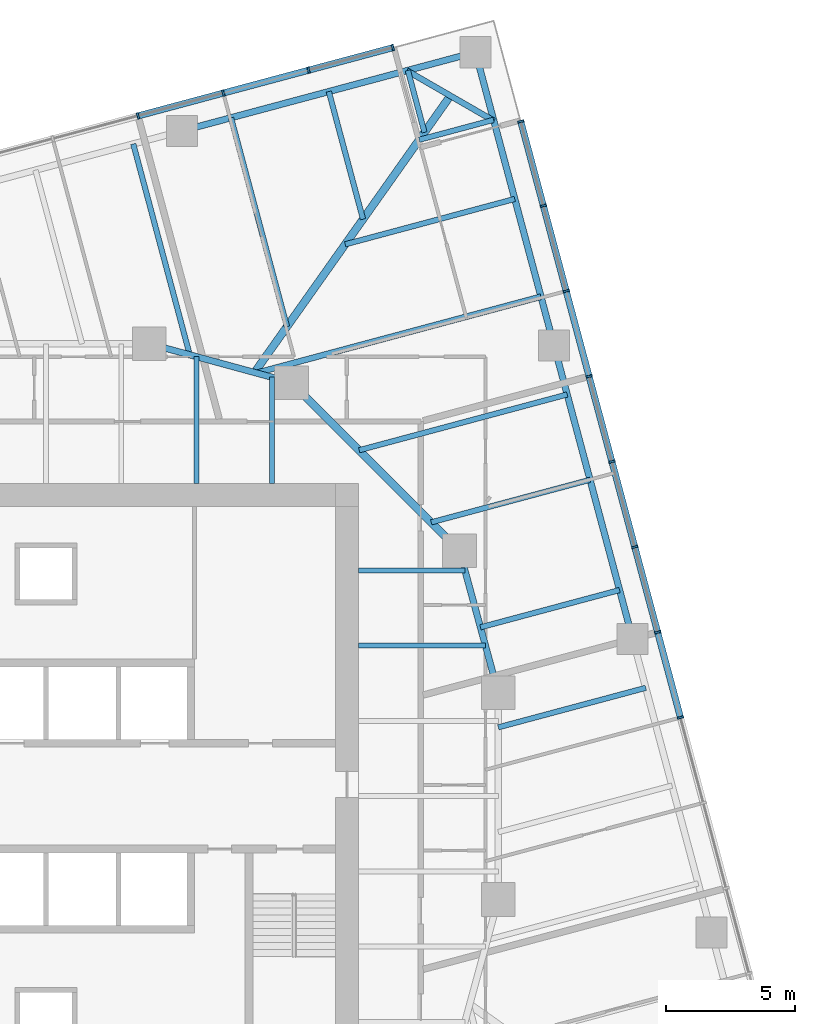
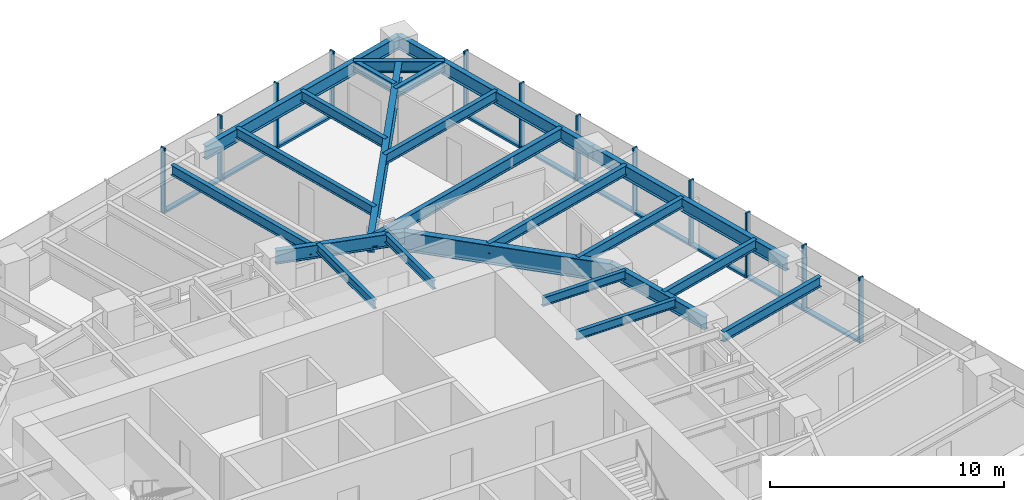
# One storey, part 6 of 13: 23 beams, 22 members, 2 elements without a shape of their own.
"""IFC4 building model written with IfcOpenShell, lengths in metres."""

from ifc_helpers import new_model, si_unit, direction, frame, origin, origin_2d, place, context, subcontext, project, spatial, rectangle, i_section, extrude, material, material_profile, profile_set, type_object, element, aggregate, save


model = new_model("IFC4")

# Units and contexts
model_context = context("Model", 3, precision=1e-05, world=origin(), true_north=direction((0.0, 1.0)))
body_context = subcontext(model_context, "Body", "Model", "MODEL_VIEW")
ifc_project = project(units=[si_unit("LENGTHUNIT", "METRE"), si_unit("AREAUNIT", "SQUARE_METRE"), si_unit("VOLUMEUNIT", "CUBIC_METRE"), si_unit("PLANEANGLEUNIT", "RADIAN"), si_unit("MASSUNIT", "GRAM", prefix="KILO")], contexts=[model_context])

# Site, building, storey
site_placement = place(None, origin())
site = spatial("IfcSite", under=ifc_project, at=site_placement, CompositionType="ELEMENT")
building_placement = place(site_placement, origin())
building = spatial("IfcBuilding", under=site, at=building_placement, Name="Torsade Residences", CompositionType="ELEMENT")
storey_placement = place(building_placement, frame((0.0, 0.0, 118.39990234375)))
storey = spatial("IfcBuildingStorey", under=building, at=storey_placement, Name="L32", CompositionType="ELEMENT", Elevation=118.39990234375)

# Beams
ifc_material_1 = material(Name="Steel grade 300", Category="steel")
ifc_material_profile_1 = material_profile(ifc_material_1, i_section(OverallWidth=0.300048828125, OverallDepth=0.89990234375, WebThickness=0.011962890625, FlangeThickness=0.02490234375, at=origin_2d()), Name="900WB175")
ifc_profile_set_1 = profile_set([ifc_material_profile_1], Name="Steel grade 300")
beam_type_1 = type_object("IfcBeamType", Name="CORNER GIRDER 900WB175", PredefinedType="BEAM", material=ifc_profile_set_1)
beam_1_placement = place(storey_placement, frame((55.644775390625, 57.097412109375, 2.800048828125), z_axis=(-0.577683167004, -0.816261084801, 0.0), x_axis=(0.816261084801, -0.577683167004, 0.0)))
element("IfcBeam", 1, at=beam_1_placement, inside=storey, type_object=beam_type_1, Name="Corner girder 09 L33", PredefinedType="BEAM", context=body_context, shape_type="SweptSolid", body=[
    extrude(i_section(OverallWidth=0.300048828125, OverallDepth=0.89990234375, WebThickness=0.011962890625, FlangeThickness=0.02490234375, at=origin_2d()), origin(), (0.0, 0.0, 1.0), 13.116943359375),
])
ifc_material_2 = material(Name="Steel grade 300", Category="steel")
ifc_material_profile_2 = material_profile(ifc_material_2, i_section(OverallWidth=0.22802734375, OverallDepth=0.60205078125, WebThickness=0.010498046875, FlangeThickness=0.014892578125, FilletRadius=0.013916015625, at=origin_2d()), Name="610UB101")
ifc_profile_set_2 = profile_set([ifc_material_profile_2], Name="Steel grade 300")
beam_type_2 = type_object("IfcBeamType", Name="CORNER TRIMMER 610UB101", PredefinedType="BEAM", material=ifc_profile_set_2)
beam_2_placement = place(storey_placement, frame((53.960693359375, 58.06982421875, 2.94921875), z_axis=(0.866028782848, -0.499994147244, 0.0), x_axis=(0.499994147244, 0.866028782848, 0.0)))
element("IfcBeam", 2, at=beam_2_placement, inside=storey, type_object=beam_type_2, Name="Corner trimmer 09 L33", PredefinedType="BEAM", context=body_context, shape_type="SweptSolid", body=[
    extrude(i_section(OverallWidth=0.22802734375, OverallDepth=0.60205078125, WebThickness=0.010498046875, FlangeThickness=0.014892578125, FilletRadius=0.013916015625, at=origin_2d()), origin(), (0.0, 0.0, 1.0), 3.88916015625),
])
ifc_material_3 = material(Name="Steel grade 300", Category="steel")
ifc_material_profile_3 = material_profile(ifc_material_3, i_section(OverallWidth=0.25, OverallDepth=0.699951171875, WebThickness=0.010009765625, FlangeThickness=0.02001953125, at=origin_2d()), Name="700WB130")
ifc_profile_set_3 = profile_set([ifc_material_profile_3], Name="Steel grade 300")
beam_type_3 = type_object("IfcBeamType", Name="EDGE BEAM 700WB130", PredefinedType="SPANDREL", material=ifc_profile_set_3)
for number, where, z_axis, x_axis, name in (
    (3, (62.69921875, 36.082275390625, 2.900146484375), (-0.258810863021, 0.965928018634, 0.0), (-0.965928018634, -0.258810863021, 0.0), "Edge beam 07 L33"),
    (4, (59.658203125, 47.431884765625, 2.900146484375), (-0.258830249097, 0.965922824118, 0.0), (-0.965922824118, -0.258830249097, 0.0), "Edge beam 08 L33"),
    (5, (56.616943359375, 58.781494140625, 2.900146484375), (-0.965928018634, -0.258810863021, 0.0), (0.258810863021, -0.965928018634, 0.0), "Edge beam 09 L33"),
):
    element("IfcBeam", number, at=place(storey_placement, frame(where, z_axis=z_axis, x_axis=x_axis)), inside=storey, type_object=beam_type_3, Name=name, PredefinedType="SPANDREL", context=body_context, shape_type="SweptSolid", body=[
        extrude(i_section(OverallWidth=0.25, OverallDepth=0.699951171875, WebThickness=0.010009765625, FlangeThickness=0.02001953125, at=origin_2d()), origin(), (0.0, 0.0, 1.0), 11.75),
    ])
ifc_material_4 = material(Name="Steel grade 300", Category="steel")
ifc_material_profile_4 = material_profile(ifc_material_4, i_section(OverallWidth=0.18994140625, OverallDepth=0.4541015625, WebThickness=0.008544921875, FlangeThickness=0.0126953125, FilletRadius=0.011474609375, at=origin_2d()), Name="460UB67.1")
ifc_profile_set_4 = profile_set([ifc_material_profile_4], Name="Steel grade 300")
beam_type_4 = type_object("IfcBeamType", Name="INNER FLOOR BEAM 460UB67.1", PredefinedType="JOIST", material=ifc_profile_set_4)
beam_3_placement = place(storey_placement, frame((45.824951171875, 42.10009765625, 3.023193359375), z_axis=(0.0, 1.0, 0.0), x_axis=(-1.0, 0.0, 0.0)))
element("IfcBeam", 6, at=beam_3_placement, inside=storey, type_object=beam_type_4, Name="Inner floor beam IN06 L33", PredefinedType="JOIST", context=body_context, shape_type="SweptSolid", body=[
    extrude(i_section(OverallWidth=0.18994140625, OverallDepth=0.4541015625, WebThickness=0.008544921875, FlangeThickness=0.0126953125, FilletRadius=0.011474609375, at=origin_2d()), origin(), (0.0, 0.0, 1.0), 4.902099609375),
])
beam_4_placement = place(storey_placement, frame((48.737548828125, 42.10009765625, 3.023193359375), z_axis=(0.0, 1.0, 0.0), x_axis=(-1.0, 0.0, 0.0)))
element("IfcBeam", 7, at=beam_4_placement, inside=storey, type_object=beam_type_4, Name="Inner floor beam IN07 L33", PredefinedType="JOIST", context=body_context, shape_type="SweptSolid", body=[
    extrude(i_section(OverallWidth=0.18994140625, OverallDepth=0.4541015625, WebThickness=0.008544921875, FlangeThickness=0.0126953125, FilletRadius=0.011474609375, at=origin_2d()), origin(), (0.0, 0.0, 1.0), 4.10791015625),
])
beam_5_placement = place(storey_placement, frame((52.10009765625, 35.824951171875, 3.023193359375), z_axis=(1.0, 0.0, 0.0), x_axis=(0.0, 1.0, 0.0)))
element("IfcBeam", 8, at=beam_5_placement, inside=storey, type_object=beam_type_4, Name="Inner floor beam IE06 L33", PredefinedType="JOIST", context=body_context, shape_type="SweptSolid", body=[
    extrude(i_section(OverallWidth=0.18994140625, OverallDepth=0.4541015625, WebThickness=0.008544921875, FlangeThickness=0.0126953125, FilletRadius=0.011474609375, at=origin_2d()), origin(), (0.0, 0.0, 1.0), 4.902099609375),
])
beam_6_placement = place(storey_placement, frame((52.10009765625, 38.737548828125, 3.023193359375), z_axis=(1.0, 0.0, 0.0), x_axis=(0.0, 1.0, 0.0)))
element("IfcBeam", 9, at=beam_6_placement, inside=storey, type_object=beam_type_4, Name="Inner floor beam IE07 L33", PredefinedType="JOIST", context=body_context, shape_type="SweptSolid", body=[
    extrude(i_section(OverallWidth=0.18994140625, OverallDepth=0.4541015625, WebThickness=0.008544921875, FlangeThickness=0.0126953125, FilletRadius=0.011474609375, at=origin_2d()), origin(), (0.0, 0.0, 1.0), 4.10791015625),
])

# Curtain wall, members
ifc_material_5 = material(Name="Aluminium and glass", Category="aluminium")
curtain_wall_type = type_object("IfcCurtainWallType", Name="FRITTED GLASS CURTAIN WALL MID ZONE", PredefinedType="NOTDEFINED", material=ifc_material_5)
curtain_wall_1_placement = place(storey_placement, origin())
curtain_wall_1 = element("IfcCurtainWall", 10, at=curtain_wall_1_placement, inside=storey, type_object=curtain_wall_type, Name="Curtain wall L32 face 4", PredefinedType="NOTDEFINED")
ifc_material_6 = material(Name="Aluminium mullion", Category="aluminium")
ifc_material_profile_5 = material_profile(ifc_material_6, rectangle(XDim=0.25, YDim=0.080078125, at=origin_2d()), Name="MID ZONE CURTAIN WALL MULLION 250x80")
ifc_profile_set_5 = profile_set([ifc_material_profile_5], Name="Aluminium mullion")
member_type_1 = type_object("IfcMemberType", Name="MID ZONE CURTAIN WALL MULLION 250x80", PredefinedType="MULLION", material=ifc_profile_set_5)
member_1_placement = place(storey_placement, frame((64.549560546875, 33.040771484375, 0.0), z_axis=(0.0, 0.0, 1.0), x_axis=(-0.965925825571, -0.258819047783, 0.0)))
member_1 = element("IfcMember", 11, at=member_1_placement, type_object=member_type_1, Name="Mullion 6", PredefinedType="MULLION", context=body_context, shape_type="SweptSolid", body=[
    extrude(rectangle(XDim=0.25, YDim=0.080078125, at=origin_2d()), origin(), (0.0, 0.0, 1.0), 3.400146484375),
])
member_2_placement = place(storey_placement, frame((63.665283203125, 36.341064453125, 0.0), z_axis=(0.0, 0.0, 1.0), x_axis=(-0.965925825571, -0.258819047783, 0.0)))
member_2 = element("IfcMember", 12, at=member_2_placement, type_object=member_type_1, Name="Mullion 7", PredefinedType="MULLION", context=body_context, shape_type="SweptSolid", body=[
    extrude(rectangle(XDim=0.25, YDim=0.080078125, at=origin_2d()), origin(), (0.0, 0.0, 1.0), 3.400146484375),
])
member_3_placement = place(storey_placement, frame((62.781005859375, 39.641357421875, 0.0), z_axis=(0.0, 0.0, 1.0), x_axis=(-0.965925825571, -0.258819047783, 0.0)))
member_3 = element("IfcMember", 13, at=member_3_placement, type_object=member_type_1, Name="Mullion 8", PredefinedType="MULLION", context=body_context, shape_type="SweptSolid", body=[
    extrude(rectangle(XDim=0.25, YDim=0.080078125, at=origin_2d()), origin(), (0.0, 0.0, 1.0), 3.400146484375),
])
member_4_placement = place(storey_placement, frame((61.896484375, 42.941650390625, 0.0), z_axis=(0.0, 0.0, 1.0), x_axis=(-0.965925825571, -0.258819047783, 0.0)))
member_4 = element("IfcMember", 14, at=member_4_placement, type_object=member_type_1, Name="Mullion 9", PredefinedType="MULLION", context=body_context, shape_type="SweptSolid", body=[
    extrude(rectangle(XDim=0.25, YDim=0.080078125, at=origin_2d()), origin(), (0.0, 0.0, 1.0), 3.400146484375),
])
member_5_placement = place(storey_placement, frame((61.01220703125, 46.24169921875, 0.0), z_axis=(0.0, 0.0, 1.0), x_axis=(-0.965925825571, -0.258819047783, 0.0)))
member_5 = element("IfcMember", 15, at=member_5_placement, type_object=member_type_1, Name="Mullion 10", PredefinedType="MULLION", context=body_context, shape_type="SweptSolid", body=[
    extrude(rectangle(XDim=0.25, YDim=0.080078125, at=origin_2d()), origin(), (0.0, 0.0, 1.0), 3.400146484375),
])
member_6_placement = place(storey_placement, frame((60.1279296875, 49.5419921875, 0.0), z_axis=(0.0, 0.0, 1.0), x_axis=(-0.965925825571, -0.258819047783, 0.0)))
member_6 = element("IfcMember", 16, at=member_6_placement, type_object=member_type_1, Name="Mullion 11", PredefinedType="MULLION", context=body_context, shape_type="SweptSolid", body=[
    extrude(rectangle(XDim=0.25, YDim=0.080078125, at=origin_2d()), origin(), (0.0, 0.0, 1.0), 3.400146484375),
])
member_7_placement = place(storey_placement, frame((59.24365234375, 52.84228515625, 0.0), z_axis=(0.0, 0.0, 1.0), x_axis=(-0.965925825571, -0.258819047783, 0.0)))
member_7 = element("IfcMember", 17, at=member_7_placement, type_object=member_type_1, Name="Mullion 12", PredefinedType="MULLION", context=body_context, shape_type="SweptSolid", body=[
    extrude(rectangle(XDim=0.25, YDim=0.080078125, at=origin_2d()), origin(), (0.0, 0.0, 1.0), 3.400146484375),
])
member_8_placement = place(storey_placement, frame((58.36962890625, 56.10400390625, 0.0), z_axis=(0.0, 0.0, 1.0), x_axis=(-0.965925825571, -0.258819047783, 0.0)))
member_8 = element("IfcMember", 18, at=member_8_placement, type_object=member_type_1, Name="Mullion 13", PredefinedType="MULLION", context=body_context, shape_type="SweptSolid", body=[
    extrude(rectangle(XDim=0.25, YDim=0.080078125, at=origin_2d()), origin(), (0.0, 0.0, 1.0), 3.400146484375),
])

curtain_wall_2_placement = place(storey_placement, origin())
curtain_wall_2 = element("IfcCurtainWall", 19, at=curtain_wall_2_placement, inside=storey, type_object=curtain_wall_type, Name="Curtain wall L32 face 7", PredefinedType="NOTDEFINED")
member_9_placement = place(storey_placement, frame((53.421875, 58.960693359375, 0.0), z_axis=(0.0, 0.0, 1.0), x_axis=(0.258819047783, -0.965925825571, 0.0)))
member_9 = element("IfcMember", 20, at=member_9_placement, type_object=member_type_1, Name="Mullion 1", PredefinedType="MULLION", context=body_context, shape_type="SweptSolid", body=[
    extrude(rectangle(XDim=0.25, YDim=0.080078125, at=origin_2d()), origin(), (0.0, 0.0, 1.0), 3.400146484375),
])
member_10_placement = place(storey_placement, frame((50.16015625, 58.086669921875, 0.0), z_axis=(0.0, 0.0, 1.0), x_axis=(0.258819047783, -0.965925825571, 0.0)))
member_10 = element("IfcMember", 21, at=member_10_placement, type_object=member_type_1, Name="Mullion 2", PredefinedType="MULLION", context=body_context, shape_type="SweptSolid", body=[
    extrude(rectangle(XDim=0.25, YDim=0.080078125, at=origin_2d()), origin(), (0.0, 0.0, 1.0), 3.400146484375),
])
member_11_placement = place(storey_placement, frame((46.85986328125, 57.202392578125, 0.0), z_axis=(0.0, 0.0, 1.0), x_axis=(0.258819047783, -0.965925825571, 0.0)))
member_11 = element("IfcMember", 22, at=member_11_placement, type_object=member_type_1, Name="Mullion 3", PredefinedType="MULLION", context=body_context, shape_type="SweptSolid", body=[
    extrude(rectangle(XDim=0.25, YDim=0.080078125, at=origin_2d()), origin(), (0.0, 0.0, 1.0), 3.400146484375),
])
member_12_placement = place(storey_placement, frame((43.5595703125, 56.318115234375, 0.0), z_axis=(0.0, 0.0, 1.0), x_axis=(0.258819047783, -0.965925825571, 0.0)))
member_12 = element("IfcMember", 23, at=member_12_placement, type_object=member_type_1, Name="Mullion 4", PredefinedType="MULLION", context=body_context, shape_type="SweptSolid", body=[
    extrude(rectangle(XDim=0.25, YDim=0.080078125, at=origin_2d()), origin(), (0.0, 0.0, 1.0), 3.400146484375),
])

# Member
ifc_material_7 = material(Name="Aluminium transom", Category="aluminium")
ifc_material_profile_6 = material_profile(ifc_material_7, rectangle(XDim=0.25, YDim=0.110107421875, at=origin_2d()), Name="MID ZONE CURTAIN WALL TRANSOM 250x110")
ifc_profile_set_6 = profile_set([ifc_material_profile_6], Name="Aluminium transom")
member_type_2 = type_object("IfcMemberType", Name="MID ZONE CURTAIN WALL TRANSOM 250x110", PredefinedType="USERDEFINED", material=ifc_profile_set_6)
member_13_placement = place(storey_placement, frame((64.5390625, 33.079345703125, 0.05517578125), z_axis=(-0.258787285653, 0.965934335648, 0.0), x_axis=(-0.965934335648, -0.258787285653, 0.0)))
member_13 = element("IfcMember", 24, at=member_13_placement, type_object=member_type_2, Name="Transom 6.1", ObjectType="TRANSOM", PredefinedType="USERDEFINED", context=body_context, shape_type="SweptSolid", body=[
    extrude(rectangle(XDim=0.25, YDim=0.110107421875, at=origin_2d()), origin(), (0.0, 0.0, 1.0), 3.3369140625),
])

member_14_placement = place(storey_placement, frame((63.65478515625, 36.379638671875, 0.05517578125), z_axis=(-0.258787285653, 0.965934335648, 0.0), x_axis=(-0.965934335648, -0.258787285653, 0.0)))
member_14 = element("IfcMember", 25, at=member_14_placement, type_object=member_type_2, Name="Transom 7.1", ObjectType="TRANSOM", PredefinedType="USERDEFINED", context=body_context, shape_type="SweptSolid", body=[
    extrude(rectangle(XDim=0.25, YDim=0.110107421875, at=origin_2d()), origin(), (0.0, 0.0, 1.0), 3.3369140625),
])

member_15_placement = place(storey_placement, frame((62.7705078125, 39.679931640625, 0.05517578125), z_axis=(-0.258805576255, 0.965929435155, 0.0), x_axis=(-0.965929435155, -0.258805576255, 0.0)))
member_15 = element("IfcMember", 26, at=member_15_placement, type_object=member_type_2, Name="Transom 8.1", ObjectType="TRANSOM", PredefinedType="USERDEFINED", context=body_context, shape_type="SweptSolid", body=[
    extrude(rectangle(XDim=0.25, YDim=0.110107421875, at=origin_2d()), origin(), (0.0, 0.0, 1.0), 3.336669921875),
])

member_16_placement = place(storey_placement, frame((61.88623046875, 42.980224609375, 0.05517578125), z_axis=(-0.258805576255, 0.965929435155, 0.0), x_axis=(-0.965929435155, -0.258805576255, 0.0)))
member_16 = element("IfcMember", 27, at=member_16_placement, type_object=member_type_2, Name="Transom 9.1", ObjectType="TRANSOM", PredefinedType="USERDEFINED", context=body_context, shape_type="SweptSolid", body=[
    extrude(rectangle(XDim=0.25, YDim=0.110107421875, at=origin_2d()), origin(), (0.0, 0.0, 1.0), 3.336669921875),
])

member_17_placement = place(storey_placement, frame((61.001953125, 46.280517578125, 0.05517578125), z_axis=(-0.258805576255, 0.965929435155, 0.0), x_axis=(-0.965929435155, -0.258805576255, 0.0)))
member_17 = element("IfcMember", 28, at=member_17_placement, type_object=member_type_2, Name="Transom 10.1", ObjectType="TRANSOM", PredefinedType="USERDEFINED", context=body_context, shape_type="SweptSolid", body=[
    extrude(rectangle(XDim=0.25, YDim=0.110107421875, at=origin_2d()), origin(), (0.0, 0.0, 1.0), 3.336669921875),
])

member_18_placement = place(storey_placement, frame((60.11767578125, 49.580810546875, 0.05517578125), z_axis=(-0.258805576255, 0.965929435155, 0.0), x_axis=(-0.965929435155, -0.258805576255, 0.0)))
member_18 = element("IfcMember", 29, at=member_18_placement, type_object=member_type_2, Name="Transom 11.1", ObjectType="TRANSOM", PredefinedType="USERDEFINED", context=body_context, shape_type="SweptSolid", body=[
    extrude(rectangle(XDim=0.25, YDim=0.110107421875, at=origin_2d()), origin(), (0.0, 0.0, 1.0), 3.336669921875),
])

member_19_placement = place(storey_placement, frame((59.2333984375, 52.880859375, 0.05517578125), z_axis=(-0.258828627534, 0.965923258633, 0.0), x_axis=(-0.965923258633, -0.258828627534, 0.0)))
member_19 = element("IfcMember", 30, at=member_19_placement, type_object=member_type_2, Name="Transom 12.1", ObjectType="TRANSOM", PredefinedType="USERDEFINED", context=body_context, shape_type="SweptSolid", body=[
    extrude(rectangle(XDim=0.25, YDim=0.110107421875, at=origin_2d()), origin(), (0.0, 0.0, 1.0), 3.296630859375),
])

aggregate(curtain_wall_1, [member_1, member_2, member_3, member_4, member_5, member_6, member_7, member_8, member_13, member_14, member_15, member_16, member_17, member_18, member_19])

member_20_placement = place(storey_placement, frame((53.383056640625, 58.9501953125, 0.05517578125), z_axis=(-0.965923258633, -0.258828627534, 0.0), x_axis=(0.258828627534, -0.965923258633, 0.0)))
member_20 = element("IfcMember", 31, at=member_20_placement, type_object=member_type_2, Name="Transom 1.1", ObjectType="TRANSOM", PredefinedType="USERDEFINED", context=body_context, shape_type="SweptSolid", body=[
    extrude(rectangle(XDim=0.25, YDim=0.110107421875, at=origin_2d()), origin(), (0.0, 0.0, 1.0), 3.296630859375),
])

member_21_placement = place(storey_placement, frame((50.12158203125, 58.076416015625, 0.05517578125), z_axis=(-0.965916044226, -0.258855549498, 0.0), x_axis=(0.258855549498, -0.965916044226, 0.0)))
member_21 = element("IfcMember", 32, at=member_21_placement, type_object=member_type_2, Name="Transom 2.1", ObjectType="TRANSOM", PredefinedType="USERDEFINED", context=body_context, shape_type="SweptSolid", body=[
    extrude(rectangle(XDim=0.25, YDim=0.110107421875, at=origin_2d()), origin(), (0.0, 0.0, 1.0), 3.3369140625),
])

member_22_placement = place(storey_placement, frame((46.8212890625, 57.192138671875, 0.05517578125), z_axis=(-0.96591114124, -0.258873844232, 0.0), x_axis=(0.258873844232, -0.96591114124, 0.0)))
member_22 = element("IfcMember", 33, at=member_22_placement, type_object=member_type_2, Name="Transom 3.1", ObjectType="TRANSOM", PredefinedType="USERDEFINED", context=body_context, shape_type="SweptSolid", body=[
    extrude(rectangle(XDim=0.25, YDim=0.110107421875, at=origin_2d()), origin(), (0.0, 0.0, 1.0), 3.336669921875),
])

aggregate(curtain_wall_2, [member_9, member_10, member_11, member_12, member_20, member_21, member_22])

# Beams
ifc_material_8 = material(Name="Steel grade 300", Category="steel")
ifc_material_profile_7 = material_profile(ifc_material_8, i_section(OverallWidth=0.300048828125, OverallDepth=1.0, WebThickness=0.01611328125, FlangeThickness=0.028076171875, at=origin_2d()), Name="1000WB215")
ifc_profile_set_7 = profile_set([ifc_material_profile_7], Name="Steel grade 300")
beam_type_5 = type_object("IfcBeamType", Name="RING CORNER GIRDER 1000WB215", PredefinedType="BEAM", material=ifc_profile_set_7)
beam_7_placement = place(storey_placement, frame((56.0, 39.5, 2.75), z_axis=(-0.707106781187, 0.707106781187, 0.0), x_axis=(-0.707106781187, -0.707106781187, 0.0)))
element("IfcBeam", 34, at=beam_7_placement, inside=storey, type_object=beam_type_5, Name="Ring girder IR03 L33", PredefinedType="BEAM", context=body_context, shape_type="SweptSolid", body=[
    extrude(i_section(OverallWidth=0.300048828125, OverallDepth=1.0, WebThickness=0.01611328125, FlangeThickness=0.028076171875, at=origin_2d()), origin(), (0.0, 0.0, 1.0), 9.1923828125),
])
ifc_material_9 = material(Name="Steel grade 300", Category="steel")
ifc_material_profile_8 = material_profile(ifc_material_9, i_section(OverallWidth=0.25, OverallDepth=0.699951171875, WebThickness=0.010009765625, FlangeThickness=0.02001953125, at=origin_2d()), Name="700WB130")
ifc_profile_set_8 = profile_set([ifc_material_profile_8], Name="Steel grade 300")
beam_type_6 = type_object("IfcBeamType", Name="RING GIRDER 700WB130", PredefinedType="BEAM", material=ifc_profile_set_8)
for number, where, z_axis, x_axis, name in (
    (35, (57.5, 34.0, 2.900146484375), (-0.263117405792, 0.964763821238, 0.0), (-0.964763821238, -0.263117405792, 0.0), "Ring girder IR02 L33"),
    (36, (49.5, 46.0, 2.900146484375), (-0.964763821238, 0.263117405792, 0.0), (-0.263117405792, -0.964763821238, 0.0), "Ring girder IR04 L33"),
):
    element("IfcBeam", number, at=place(storey_placement, frame(where, z_axis=z_axis, x_axis=x_axis)), inside=storey, type_object=beam_type_6, Name=name, PredefinedType="BEAM", context=body_context, shape_type="SweptSolid", body=[
        extrude(i_section(OverallWidth=0.25, OverallDepth=0.699951171875, WebThickness=0.010009765625, FlangeThickness=0.02001953125, at=origin_2d()), origin(), (0.0, 0.0, 1.0), 5.700927734375),
    ])
ifc_material_10 = material(Name="Steel grade 300", Category="steel")
ifc_material_profile_9 = material_profile(ifc_material_10, i_section(OverallWidth=0.208984375, OverallDepth=0.528076171875, WebThickness=0.009521484375, FlangeThickness=0.01318359375, FilletRadius=0.013916015625, at=origin_2d()), Name="530UB82.0")
ifc_profile_set_9 = profile_set([ifc_material_profile_9], Name="Steel grade 300")
beam_type_7 = type_object("IfcBeamType", Name="SECONDARY BEAM 530UB82.0", PredefinedType="JOIST", material=ifc_profile_set_9)
beam_8_placement = place(storey_placement, frame((63.2060546875, 34.190673828125, 2.986083984375), z_axis=(-0.965920748174, -0.258837996141, 0.0), x_axis=(0.258837996141, -0.965920748174, 0.0)))
element("IfcBeam", 37, at=beam_8_placement, inside=storey, type_object=beam_type_7, Name="Floor beam FE06 L33", PredefinedType="JOIST", context=body_context, shape_type="SweptSolid", body=[
    extrude(i_section(OverallWidth=0.208984375, OverallDepth=0.528076171875, WebThickness=0.009521484375, FlangeThickness=0.01318359375, FilletRadius=0.013916015625, at=origin_2d()), origin(), (0.0, 0.0, 1.0), 5.907470703125),
])
beam_9_placement = place(storey_placement, frame((62.1923828125, 37.973876953125, 2.986083984375), z_axis=(-0.965923020144, -0.258829517553, 0.0), x_axis=(0.258829517553, -0.965923020144, 0.0)))
element("IfcBeam", 38, at=beam_9_placement, inside=storey, type_object=beam_type_7, Name="Floor beam FE07 L33", PredefinedType="JOIST", context=body_context, shape_type="SweptSolid", body=[
    extrude(i_section(OverallWidth=0.208984375, OverallDepth=0.528076171875, WebThickness=0.009521484375, FlangeThickness=0.01318359375, FilletRadius=0.013916015625, at=origin_2d()), origin(), (0.0, 0.0, 1.0), 5.57275390625),
])
beam_10_placement = place(storey_placement, frame((61.04931640625, 42.239990234375, 2.986083984375), z_axis=(-0.965929717932, -0.258804520856, 0.0), x_axis=(0.258804520856, -0.965929717932, 0.0)))
element("IfcBeam", 39, at=beam_10_placement, inside=storey, type_object=beam_type_7, Name="Floor beam FE08 L33", PredefinedType="JOIST", context=body_context, shape_type="SweptSolid", body=[
    extrude(i_section(OverallWidth=0.208984375, OverallDepth=0.528076171875, WebThickness=0.009521484375, FlangeThickness=0.01318359375, FilletRadius=0.013916015625, at=origin_2d()), origin(), (0.0, 0.0, 1.0), 6.360107421875),
])
beam_11_placement = place(storey_placement, frame((60.1650390625, 45.540283203125, 2.986083984375), z_axis=(-0.96592202475, -0.258833232221, 0.0), x_axis=(0.258833232221, -0.96592202475, 0.0)))
element("IfcBeam", 40, at=beam_11_placement, inside=storey, type_object=beam_type_7, Name="Floor beam FE09 L33", PredefinedType="JOIST", context=body_context, shape_type="SweptSolid", body=[
    extrude(i_section(OverallWidth=0.208984375, OverallDepth=0.528076171875, WebThickness=0.009521484375, FlangeThickness=0.01318359375, FilletRadius=0.013916015625, at=origin_2d()), origin(), (0.0, 0.0, 1.0), 8.33251953125),
])
beam_12_placement = place(storey_placement, frame((58.137451171875, 53.106689453125, 2.986083984375), z_axis=(-0.965927035229, -0.258814533235, 0.0), x_axis=(0.258814533235, -0.965927035229, 0.0)))
element("IfcBeam", 41, at=beam_12_placement, inside=storey, type_object=beam_type_7, Name="Floor beam FE11 L33", PredefinedType="JOIST", context=body_context, shape_type="SweptSolid", body=[
    extrude(i_section(OverallWidth=0.208984375, OverallDepth=0.528076171875, WebThickness=0.009521484375, FlangeThickness=0.01318359375, FilletRadius=0.013916015625, at=origin_2d()), origin(), (0.0, 0.0, 1.0), 6.792724609375),
])
beam_13_placement = place(storey_placement, frame((57.31787109375, 56.16552734375, 2.986083984375), z_axis=(-0.965913310475, -0.258865750242, 0.0), x_axis=(0.258865750242, -0.965913310475, 0.0)))
element("IfcBeam", 42, at=beam_13_placement, inside=storey, type_object=beam_type_7, Name="Floor beam FE12 L33", PredefinedType="JOIST", context=body_context, shape_type="SweptSolid", body=[
    extrude(i_section(OverallWidth=0.208984375, OverallDepth=0.528076171875, WebThickness=0.009521484375, FlangeThickness=0.01318359375, FilletRadius=0.013916015625, at=origin_2d()), origin(), (0.0, 0.0, 1.0), 2.980224609375),
])
beam_14_placement = place(storey_placement, frame((54.0009765625, 58.08056640625, 2.986083984375), z_axis=(0.258837674225, -0.965920834438, 0.0), x_axis=(0.965920834438, 0.258837674225, 0.0)))
element("IfcBeam", 43, at=beam_14_placement, inside=storey, type_object=beam_type_7, Name="Floor beam FN01 L33", PredefinedType="JOIST", context=body_context, shape_type="SweptSolid", body=[
    extrude(i_section(OverallWidth=0.208984375, OverallDepth=0.528076171875, WebThickness=0.009521484375, FlangeThickness=0.01318359375, FilletRadius=0.013916015625, at=origin_2d()), origin(), (0.0, 0.0, 1.0), 2.482666015625),
])
beam_15_placement = place(storey_placement, frame((50.942138671875, 57.260986328125, 2.986083984375), z_axis=(0.258815647274, -0.965926736728, 0.0), x_axis=(0.965926736728, 0.258815647274, 0.0)))
element("IfcBeam", 44, at=beam_15_placement, inside=storey, type_object=beam_type_7, Name="Floor beam FN02 L33", PredefinedType="JOIST", context=body_context, shape_type="SweptSolid", body=[
    extrude(i_section(OverallWidth=0.208984375, OverallDepth=0.528076171875, WebThickness=0.009521484375, FlangeThickness=0.01318359375, FilletRadius=0.013916015625, at=origin_2d()), origin(), (0.0, 0.0, 1.0), 5.11279296875),
])
beam_16_placement = place(storey_placement, frame((47.158935546875, 56.247314453125, 2.986083984375), z_axis=(0.258823120582, -0.965924734258, 0.0), x_axis=(0.965924734258, 0.258823120582, 0.0)))
element("IfcBeam", 45, at=beam_16_placement, inside=storey, type_object=beam_type_7, Name="Floor beam FN03 L33", PredefinedType="JOIST", context=body_context, shape_type="SweptSolid", body=[
    extrude(i_section(OverallWidth=0.208984375, OverallDepth=0.528076171875, WebThickness=0.009521484375, FlangeThickness=0.01318359375, FilletRadius=0.013916015625, at=origin_2d()), origin(), (0.0, 0.0, 1.0), 8.365966796875),
])
beam_17_placement = place(storey_placement, frame((43.375732421875, 55.233642578125, 2.986083984375), z_axis=(0.258808315464, -0.965928701223, 0.0), x_axis=(0.965928701223, 0.258808315464, 0.0)))
element("IfcBeam", 46, at=beam_17_placement, inside=storey, type_object=beam_type_7, Name="Floor beam FN04 L33", PredefinedType="JOIST", context=body_context, shape_type="SweptSolid", body=[
    extrude(i_section(OverallWidth=0.208984375, OverallDepth=0.528076171875, WebThickness=0.009521484375, FlangeThickness=0.01318359375, FilletRadius=0.013916015625, at=origin_2d()), origin(), (0.0, 0.0, 1.0), 8.447509765625),
])
ifc_material_11 = material(Name="Steel grade 300", Category="steel")
ifc_material_profile_10 = material_profile(ifc_material_11, i_section(OverallWidth=0.22900390625, OverallDepth=0.612060546875, WebThickness=0.011962890625, FlangeThickness=0.01953125, FilletRadius=0.013916015625, at=origin_2d()), Name="610UB125")
ifc_profile_set_10 = profile_set([ifc_material_profile_10], Name="Steel grade 300")
beam_type_8 = type_object("IfcBeamType", Name="SECONDARY BEAM 610UB125", PredefinedType="JOIST", material=ifc_profile_set_10)
beam_18_placement = place(storey_placement, frame((59.1513671875, 49.323486328125, 2.944091796875), z_axis=(-0.965929035417, -0.258807068179, 0.0), x_axis=(0.258807068179, -0.965929035417, 0.0)))
element("IfcBeam", 47, at=beam_18_placement, inside=storey, type_object=beam_type_8, Name="Floor beam FE10 L33", PredefinedType="JOIST", context=body_context, shape_type="SweptSolid", body=[
    extrude(i_section(OverallWidth=0.22900390625, OverallDepth=0.612060546875, WebThickness=0.011962890625, FlangeThickness=0.01953125, FilletRadius=0.013916015625, at=origin_2d()), origin(), (0.0, 0.0, 1.0), 11.40380859375),
])

save(model, "model.ifc")
